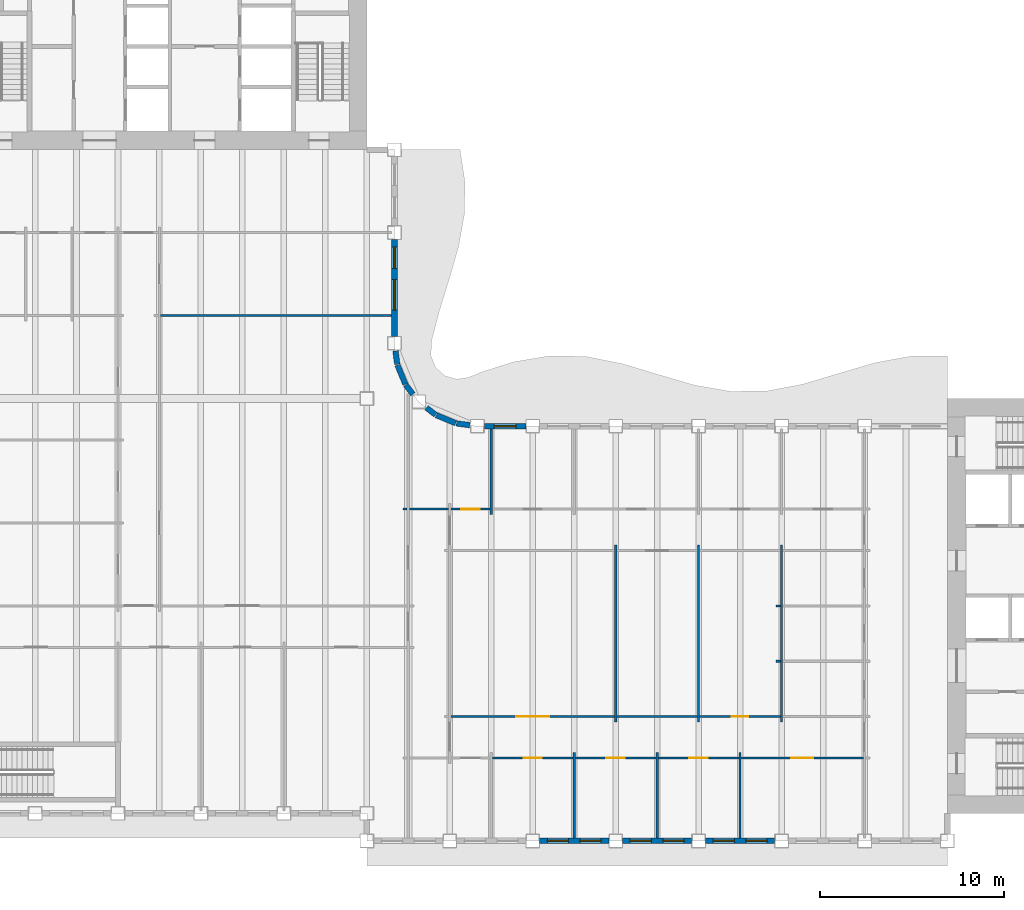
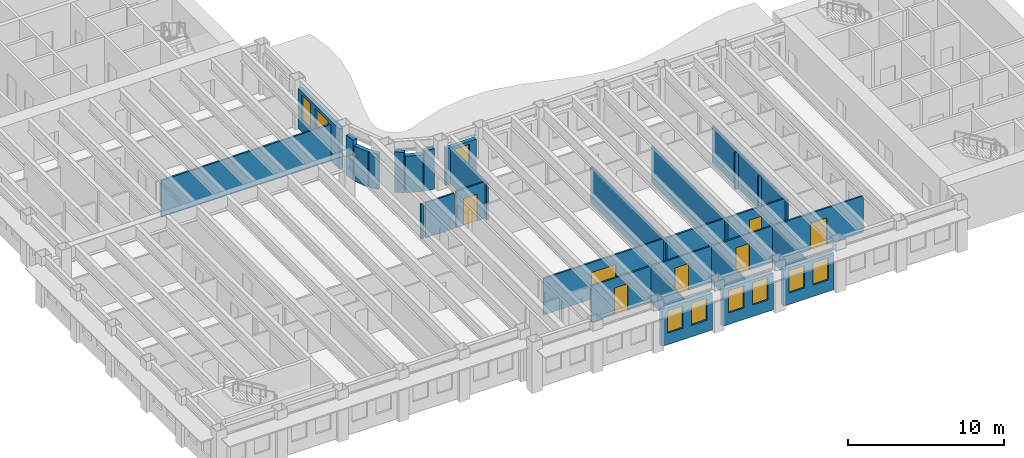
# One storey, part 5 of 17: 31 walls, 9 windows, 7 doors, 16 openings.
"""IFC4 building model written with IfcOpenShell, lengths in metres."""

from ifc_helpers import new_model, si_unit, direction, frame, frame_2d, origin, place, context, subcontext, project, spatial, rectangle, extrude, material, layer, layer_set, type_object, element, fill, save


model = new_model("IFC4")

# Units and contexts
model_context = context("Model", 3, precision=1e-05, world=origin(), true_north=direction((0.0, 1.0)))
body_context = subcontext(model_context, "Body", "Model", "MODEL_VIEW")
ifc_project = project(units=[si_unit("LENGTHUNIT", "METRE"), si_unit("AREAUNIT", "SQUARE_METRE"), si_unit("VOLUMEUNIT", "CUBIC_METRE"), si_unit("PLANEANGLEUNIT", "RADIAN"), si_unit("MASSUNIT", "GRAM", prefix="KILO")], contexts=[model_context])

# Site, building, storey
site_placement = place(None, origin())
site = spatial("IfcSite", under=ifc_project, at=site_placement, CompositionType="ELEMENT")
building_placement = place(site_placement, origin())
building = spatial("IfcBuilding", under=site, at=building_placement, Name="Sennacour Bend Tower", CompositionType="ELEMENT")
storey_placement = place(building_placement, frame((0.0, 0.0, 203.0)))
storey = spatial("IfcBuildingStorey", under=building, at=storey_placement, Name="L46", CompositionType="ELEMENT", Elevation=203.0)

# Walls
ifc_material_1 = material(Name="Plasterboard partition on steel studs", Category="steel")
ifc_layer_1 = layer(ifc_material_1, 0.1201171875, Name="Plasterboard partition on steel studs", Category="steel")
ifc_layer_set_1 = layer_set([ifc_layer_1], Name="Plasterboard partition on steel studs")
wall_type_1 = type_object("IfcWallType", Name="Partition 120", PredefinedType="PARTITIONING", material=ifc_layer_set_1)
for number, where, z_axis, x_axis, name in (
    (1, (29.25, 16.199951171875, 0.0), (0.0, 0.0, 1.0), (0.0, 1.0, 0.0), "P-L46-W030a"),
    (2, (33.75, -1.35009765625, 0.0), (0.0, 0.0, 1.0), (0.0, 1.0, 0.0), "P-L46-W031a"),
):
    element("IfcWall", number, at=place(storey_placement, frame(where, z_axis=z_axis, x_axis=x_axis)), inside=storey, type_object=wall_type_1, Name=name, PredefinedType="PARTITIONING", context=body_context, shape_type="SweptSolid", body=[
        extrude(rectangle(XDim=4.650146484375, YDim=0.1201171875, at=frame_2d((2.3251953125, 0.0))), origin(), (0.0, 0.0, 1.0), 2.8701171875),
    ])
wall_1_placement = place(storey_placement, frame((36.0, 4.949951171875, 0.0), z_axis=(0.0, 0.0, 1.0), x_axis=(0.0, 1.0, 0.0)))
element("IfcWall", 3, at=wall_1_placement, inside=storey, type_object=wall_type_1, Name="P-L46-W033a", PredefinedType="PARTITIONING", context=body_context, shape_type="SweptSolid", body=[
    extrude(rectangle(XDim=9.60009765625, YDim=0.1201171875, at=frame_2d((4.800048828125, 0.0))), origin(), (0.0, 0.0, 1.0), 2.8701171875),
])
wall_2_placement = place(storey_placement, frame((38.25, -1.35009765625, 0.0), z_axis=(0.0, 0.0, 1.0), x_axis=(0.0, 1.0, 0.0)))
element("IfcWall", 4, at=wall_2_placement, inside=storey, type_object=wall_type_1, Name="P-L46-W034a", PredefinedType="PARTITIONING", context=body_context, shape_type="SweptSolid", body=[
    extrude(rectangle(XDim=4.650146484375, YDim=0.1201171875, at=frame_2d((2.3251953125, 0.0))), origin(), (0.0, 0.0, 1.0), 2.8701171875),
])
wall_3_placement = place(storey_placement, frame((40.5, 4.949951171875, 0.0), z_axis=(0.0, 0.0, 1.0), x_axis=(0.0, 1.0, 0.0)))
element("IfcWall", 5, at=wall_3_placement, inside=storey, type_object=wall_type_1, Name="P-L46-W035a", PredefinedType="PARTITIONING", context=body_context, shape_type="SweptSolid", body=[
    extrude(rectangle(XDim=9.60009765625, YDim=0.1201171875, at=frame_2d((4.800048828125, 0.0))), origin(), (0.0, 0.0, 1.0), 2.8701171875),
])
wall_4_placement = place(storey_placement, frame((42.75, -1.35009765625, 0.0), z_axis=(0.0, 0.0, 1.0), x_axis=(0.0, 1.0, 0.0)))
element("IfcWall", 6, at=wall_4_placement, inside=storey, type_object=wall_type_1, Name="P-L46-W037a", PredefinedType="PARTITIONING", context=body_context, shape_type="SweptSolid", body=[
    extrude(rectangle(XDim=4.650146484375, YDim=0.1201171875, at=frame_2d((2.3251953125, 0.0))), origin(), (0.0, 0.0, 1.0), 2.8701171875),
])
wall_5_placement = place(storey_placement, frame((45.0, 4.949951171875, 0.0), z_axis=(0.0, 0.0, 1.0), x_axis=(0.0, 1.0, 0.0)))
element("IfcWall", 7, at=wall_5_placement, inside=storey, type_object=wall_type_1, Name="P-L46-W038a", PredefinedType="PARTITIONING", context=body_context, shape_type="SweptSolid", body=[
    extrude(rectangle(XDim=9.60009765625, YDim=0.1201171875, at=frame_2d((4.800048828125, 0.0))), origin(), (0.0, 0.0, 1.0), 2.8701171875),
])

# Wall, opening, door
wall_6_placement = place(storey_placement, frame((29.31005859375, 3.0, 0.0), z_axis=(0.0, 0.0, 1.0), x_axis=(1.0, 0.0, 0.0)))
wall_6 = element("IfcWall", 8, at=wall_6_placement, inside=storey, type_object=wall_type_1, Name="P-L46-W058ad", PredefinedType="PARTITIONING", context=body_context, shape_type="SweptSolid", body=[
    extrude(rectangle(XDim=4.3798828125, YDim=0.1201171875, at=frame_2d((2.18994140625, 0.0))), origin(), (0.0, 0.0, 1.0), 2.8701171875),
])
opening_1_placement = place(wall_6_placement, frame((1.68994140625, 0.0, 0.0)))
opening_1 = element("IfcOpeningElement", 9, at=opening_1_placement, cuts=wall_6, Name="Opening OD2", PredefinedType="OPENING", context=body_context, shape_type="SweptSolid", body=[
    extrude(rectangle(XDim=1.0, YDim=2.10009765625, at=frame_2d((0.5, 1.050048828125))), frame((0.0, 0.070068359375, 0.0), z_axis=(0.0, -1.0, 0.0), x_axis=(1.0, 0.0, 0.0)), (0.0, 0.0, 1.0), 0.14013671875),
])
ifc_material_2 = material(Name="Timber", Category="wood")
door_type_1 = type_object("IfcDoorType", Name="DR-OFFICE-1000", OperationType="NOTDEFINED", PredefinedType="DOOR", material=ifc_material_2)
door_1_placement = place(opening_1_placement, origin())
door_1 = element("IfcDoor", 10, at=door_1_placement, inside=storey, type_object=door_type_1, Name="Door", OperationType="SINGLE_SWING_LEFT", OverallHeight=2.10009765625, OverallWidth=1.0, PredefinedType="DOOR", context=body_context, shape_type="SweptSolid", body=[
    extrude(rectangle(XDim=1.0, YDim=2.10009765625, at=frame_2d((0.5, 1.050048828125))), frame((0.0, 0.02490234375, 0.0), z_axis=(0.0, -1.0, 0.0), x_axis=(1.0, 0.0, 0.0)), (0.0, 0.0, 1.0), 0.050048828125),
])
fill(opening_1, door_1)

wall_7_placement = place(storey_placement, frame((33.81005859375, 3.0, 0.0), z_axis=(0.0, 0.0, 1.0), x_axis=(1.0, 0.0, 0.0)))
wall_7 = element("IfcWall", 11, at=wall_7_placement, inside=storey, type_object=wall_type_1, Name="P-L46-W058ae", PredefinedType="PARTITIONING", context=body_context, shape_type="SweptSolid", body=[
    extrude(rectangle(XDim=4.3798828125, YDim=0.1201171875, at=frame_2d((2.18994140625, 0.0))), origin(), (0.0, 0.0, 1.0), 2.8701171875),
])
opening_2_placement = place(wall_7_placement, frame((1.68994140625, 0.0, 0.0)))
opening_2 = element("IfcOpeningElement", 12, at=opening_2_placement, cuts=wall_7, Name="Opening OD2", PredefinedType="OPENING", context=body_context, shape_type="SweptSolid", body=[
    extrude(rectangle(XDim=1.0, YDim=2.10009765625, at=frame_2d((0.5, 1.050048828125))), frame((0.0, 0.070068359375, 0.0), z_axis=(0.0, -1.0, 0.0), x_axis=(1.0, 0.0, 0.0)), (0.0, 0.0, 1.0), 0.14013671875),
])
door_2_placement = place(opening_2_placement, origin())
door_2 = element("IfcDoor", 13, at=door_2_placement, inside=storey, type_object=door_type_1, Name="Door", OperationType="SINGLE_SWING_LEFT", OverallHeight=2.10009765625, OverallWidth=1.0, PredefinedType="DOOR", context=body_context, shape_type="SweptSolid", body=[
    extrude(rectangle(XDim=1.0, YDim=2.10009765625, at=frame_2d((0.5, 1.050048828125))), frame((0.0, 0.02490234375, 0.0), z_axis=(0.0, -1.0, 0.0), x_axis=(1.0, 0.0, 0.0)), (0.0, 0.0, 1.0), 0.050048828125),
])
fill(opening_2, door_2)

wall_8_placement = place(storey_placement, frame((38.31005859375, 3.0, 0.0), z_axis=(0.0, 0.0, 1.0), x_axis=(1.0, 0.0, 0.0)))
wall_8 = element("IfcWall", 14, at=wall_8_placement, inside=storey, type_object=wall_type_1, Name="P-L46-W058af", PredefinedType="PARTITIONING", context=body_context, shape_type="SweptSolid", body=[
    extrude(rectangle(XDim=4.3798828125, YDim=0.1201171875, at=frame_2d((2.18994140625, 0.0))), origin(), (0.0, 0.0, 1.0), 2.8701171875),
])
opening_3_placement = place(wall_8_placement, frame((1.68994140625, 0.0, 0.0)))
opening_3 = element("IfcOpeningElement", 15, at=opening_3_placement, cuts=wall_8, Name="Opening OD2", PredefinedType="OPENING", context=body_context, shape_type="SweptSolid", body=[
    extrude(rectangle(XDim=1.0, YDim=2.10009765625, at=frame_2d((0.5, 1.050048828125))), frame((0.0, 0.070068359375, 0.0), z_axis=(0.0, -1.0, 0.0), x_axis=(1.0, 0.0, 0.0)), (0.0, 0.0, 1.0), 0.14013671875),
])
door_3_placement = place(opening_3_placement, origin())
door_3 = element("IfcDoor", 16, at=door_3_placement, inside=storey, type_object=door_type_1, Name="Door", OperationType="SINGLE_SWING_LEFT", OverallHeight=2.10009765625, OverallWidth=1.0, PredefinedType="DOOR", context=body_context, shape_type="SweptSolid", body=[
    extrude(rectangle(XDim=1.0, YDim=2.10009765625, at=frame_2d((0.5, 1.050048828125))), frame((0.0, 0.02490234375, 0.0), z_axis=(0.0, -1.0, 0.0), x_axis=(1.0, 0.0, 0.0)), (0.0, 0.0, 1.0), 0.050048828125),
])
fill(opening_3, door_3)

wall_9_placement = place(storey_placement, frame((42.81005859375, 3.0, 0.0), z_axis=(0.0, 0.0, 1.0), x_axis=(1.0, 0.0, 0.0)))
wall_9 = element("IfcWall", 17, at=wall_9_placement, inside=storey, type_object=wall_type_1, Name="P-L46-W058ag", PredefinedType="PARTITIONING", context=body_context, shape_type="SweptSolid", body=[
    extrude(rectangle(XDim=6.6298828125, YDim=0.1201171875, at=frame_2d((3.31494140625, 0.0))), origin(), (0.0, 0.0, 1.0), 2.8701171875),
])
opening_4_placement = place(wall_9_placement, frame((2.71484375, 0.0, 0.0)))
opening_4 = element("IfcOpeningElement", 18, at=opening_4_placement, cuts=wall_9, Name="Opening OD", PredefinedType="OPENING", context=body_context, shape_type="SweptSolid", body=[
    extrude(rectangle(XDim=1.199951171875, YDim=2.10009765625, at=frame_2d((0.60009765625, 1.050048828125))), frame((0.0, 0.070068359375, 0.0), z_axis=(0.0, -1.0, 0.0), x_axis=(1.0, 0.0, 0.0)), (0.0, 0.0, 1.0), 0.14013671875),
])
door_type_2 = type_object("IfcDoorType", Name="DR-OFFICE-1200", OperationType="NOTDEFINED", PredefinedType="DOOR", material=ifc_material_2)
door_4_placement = place(opening_4_placement, origin())
door_4 = element("IfcDoor", 19, at=door_4_placement, inside=storey, type_object=door_type_2, Name="Door", OperationType="SINGLE_SWING_LEFT", OverallHeight=2.10009765625, OverallWidth=1.199951171875, PredefinedType="DOOR", context=body_context, shape_type="SweptSolid", body=[
    extrude(rectangle(XDim=1.199951171875, YDim=2.10009765625, at=frame_2d((0.60009765625, 1.050048828125))), frame((0.0, 0.02490234375, 0.0), z_axis=(0.0, -1.0, 0.0), x_axis=(1.0, 0.0, 0.0)), (0.0, 0.0, 1.0), 0.050048828125),
])
fill(opening_4, door_4)

wall_10_placement = place(storey_placement, frame((27.06005859375, 5.25, 0.0), z_axis=(0.0, 0.0, 1.0), x_axis=(1.0, 0.0, 0.0)))
wall_10 = element("IfcWall", 20, at=wall_10_placement, inside=storey, type_object=wall_type_1, Name="P-L46-W063ab", PredefinedType="PARTITIONING", context=body_context, shape_type="SweptSolid", body=[
    extrude(rectangle(XDim=8.8798828125, YDim=0.1201171875, at=frame_2d((4.43994140625, 0.0))), origin(), (0.0, 0.0, 1.0), 2.8701171875),
])
opening_5_placement = place(wall_10_placement, frame((3.539794921875, 0.0, 0.0)))
opening_5 = element("IfcOpeningElement", 21, at=opening_5_placement, cuts=wall_10, Name="Opening OD3", PredefinedType="OPENING", context=body_context, shape_type="SweptSolid", body=[
    extrude(rectangle(XDim=1.800048828125, YDim=2.10009765625, at=frame_2d((0.89990234375, 1.050048828125))), frame((0.0, 0.070068359375, 0.0), z_axis=(0.0, -1.0, 0.0), x_axis=(1.0, 0.0, 0.0)), (0.0, 0.0, 1.0), 0.14013671875),
])
door_type_3 = type_object("IfcDoorType", Name="DR-OFFICE-1800", OperationType="NOTDEFINED", PredefinedType="DOOR", material=ifc_material_2)
door_5_placement = place(opening_5_placement, origin())
door_5 = element("IfcDoor", 22, at=door_5_placement, inside=storey, type_object=door_type_3, Name="Door", OperationType="DOUBLE_DOOR_SINGLE_SWING", OverallHeight=2.10009765625, OverallWidth=1.800048828125, PredefinedType="DOOR", context=body_context, shape_type="SweptSolid", body=[
    extrude(rectangle(XDim=1.800048828125, YDim=2.10009765625, at=frame_2d((0.89990234375, 1.050048828125))), frame((0.0, 0.02490234375, 0.0), z_axis=(0.0, -1.0, 0.0), x_axis=(1.0, 0.0, 0.0)), (0.0, 0.0, 1.0), 0.050048828125),
])
fill(opening_5, door_5)

# Walls
wall_11_placement = place(storey_placement, frame((36.06005859375, 5.25, 0.0), z_axis=(0.0, 0.0, 1.0), x_axis=(1.0, 0.0, 0.0)))
element("IfcWall", 23, at=wall_11_placement, inside=storey, type_object=wall_type_1, Name="P-L46-W063ac", PredefinedType="PARTITIONING", context=body_context, shape_type="SweptSolid", body=[
    extrude(rectangle(XDim=4.3798828125, YDim=0.1201171875, at=frame_2d((2.18994140625, 0.0))), origin(), (0.0, 0.0, 1.0), 2.8701171875),
])
for number, where, z_axis, x_axis, name in (
    (24, (44.699951171875, 8.25, 0.0), (0.0, 0.0, 1.0), (1.0, 0.0, 0.0), "P-L46-W065aa"),
    (25, (44.699951171875, 11.25, 0.0), (0.0, 0.0, 1.0), (1.0, 0.0, 0.0), "P-L46-W070aa"),
):
    element("IfcWall", number, at=place(storey_placement, frame(where, z_axis=z_axis, x_axis=x_axis)), inside=storey, type_object=wall_type_1, Name=name, PredefinedType="PARTITIONING", context=body_context, shape_type="SweptSolid", body=[
        extrude(rectangle(XDim=0.239990234375, YDim=0.1201171875, at=frame_2d((0.1201171875, 0.0))), origin(), (0.0, 0.0, 1.0), 2.8701171875),
    ])
wall_12_placement = place(storey_placement, frame((24.449951171875, 16.5, 0.0), z_axis=(0.0, 0.0, 1.0), x_axis=(1.0, 0.0, 0.0)))
element("IfcWall", 26, at=wall_12_placement, inside=storey, type_object=wall_type_1, Name="P-L46-W077aa", PredefinedType="PARTITIONING", context=body_context, shape_type="SweptSolid", body=[
    extrude(rectangle(XDim=0.239990234375, YDim=0.1201171875, at=frame_2d((0.1201171875, 0.0))), origin(), (0.0, 0.0, 1.0), 2.760009765625),
])
wall_13_placement = place(storey_placement, frame((24.81005859375, 16.5, 0.0), z_axis=(0.0, 0.0, 1.0), x_axis=(1.0, 0.0, 0.0)))
element("IfcWall", 27, at=wall_13_placement, inside=storey, type_object=wall_type_1, Name="P-L46-W077ab", PredefinedType="PARTITIONING", context=body_context, shape_type="SweptSolid", body=[
    extrude(rectangle(XDim=2.1298828125, YDim=0.1201171875, at=frame_2d((1.06494140625, 0.0))), origin(), (0.0, 0.0, 1.0), 2.760009765625),
])

# Wall, opening, door
wall_14_placement = place(storey_placement, frame((27.06005859375, 16.5, 0.0), z_axis=(0.0, 0.0, 1.0), x_axis=(1.0, 0.0, 0.0)))
wall_14 = element("IfcWall", 28, at=wall_14_placement, inside=storey, type_object=wall_type_1, Name="P-L46-W077ac", PredefinedType="PARTITIONING", context=body_context, shape_type="SweptSolid", body=[
    extrude(rectangle(XDim=2.1298828125, YDim=0.1201171875, at=frame_2d((1.06494140625, 0.0))), origin(), (0.0, 0.0, 1.0), 2.8701171875),
])
opening_6_placement = place(wall_14_placement, frame((0.56494140625, 0.0, 0.0)))
opening_6 = element("IfcOpeningElement", 29, at=opening_6_placement, cuts=wall_14, Name="Opening OD2", PredefinedType="OPENING", context=body_context, shape_type="SweptSolid", body=[
    extrude(rectangle(XDim=1.0, YDim=2.10009765625, at=frame_2d((0.5, 1.050048828125))), frame((0.0, 0.070068359375, 0.0), z_axis=(0.0, -1.0, 0.0), x_axis=(1.0, 0.0, 0.0)), (0.0, 0.0, 1.0), 0.14013671875),
])
door_6_placement = place(opening_6_placement, origin())
door_6 = element("IfcDoor", 30, at=door_6_placement, inside=storey, type_object=door_type_1, Name="Door", OperationType="SINGLE_SWING_LEFT", OverallHeight=2.10009765625, OverallWidth=1.0, PredefinedType="DOOR", context=body_context, shape_type="SweptSolid", body=[
    extrude(rectangle(XDim=1.0, YDim=2.10009765625, at=frame_2d((0.5, 1.050048828125))), frame((0.0, 0.02490234375, 0.0), z_axis=(0.0, -1.0, 0.0), x_axis=(1.0, 0.0, 0.0)), (0.0, 0.0, 1.0), 0.050048828125),
])
fill(opening_6, door_6)

# Wall
wall_15_placement = place(storey_placement, frame((11.31005859375, 27.0, 0.0), z_axis=(0.0, 0.0, 1.0), x_axis=(1.0, 0.0, 0.0)))
element("IfcWall", 31, at=wall_15_placement, inside=storey, type_object=wall_type_1, Name="P-L46-W085ab", PredefinedType="PARTITIONING", context=body_context, shape_type="SweptSolid", body=[
    extrude(rectangle(XDim=12.5400390625, YDim=0.1201171875, at=frame_2d((6.27001953125, 0.0))), origin(), (0.0, 0.0, 1.0), 2.8701171875),
])

# Wall, opening, door
ifc_layer_2 = layer(ifc_material_1, 0.1201171875, Name="Plasterboard partition on steel studs", Category="steel")
ifc_layer_set_2 = layer_set([ifc_layer_2], Name="Plasterboard partition on steel studs")
wall_type_2 = type_object("IfcWallType", Name="Partition 120 EI 60", PredefinedType="PARTITIONING", material=ifc_layer_set_2)
wall_16_placement = place(storey_placement, frame((40.56005859375, 5.25, 0.0), z_axis=(0.0, 0.0, 1.0), x_axis=(1.0, 0.0, 0.0)))
wall_16 = element("IfcWall", 32, at=wall_16_placement, inside=storey, type_object=wall_type_2, Name="P-L46-W063ad", PredefinedType="PARTITIONING", context=body_context, shape_type="SweptSolid", body=[
    extrude(rectangle(XDim=4.3798828125, YDim=0.1201171875, at=frame_2d((2.18994140625, 0.0))), origin(), (0.0, 0.0, 1.0), 2.8701171875),
])
opening_7_placement = place(wall_16_placement, frame((1.739990234375, 0.0, 0.0)))
opening_7 = element("IfcOpeningElement", 33, at=opening_7_placement, cuts=wall_16, Name="Opening SV", PredefinedType="OPENING", context=body_context, shape_type="SweptSolid", body=[
    extrude(rectangle(XDim=0.89990234375, YDim=2.10009765625, at=frame_2d((0.449951171875, 1.050048828125))), frame((0.0, 0.070068359375, 0.0), z_axis=(0.0, -1.0, 0.0), x_axis=(1.0, 0.0, 0.0)), (0.0, 0.0, 1.0), 0.14013671875),
])
ifc_material_3 = material(Name="Painted steel", Category="steel")
door_type_4 = type_object("IfcDoorType", Name="DR-SERVICE-900", OperationType="NOTDEFINED", PredefinedType="DOOR", material=ifc_material_3)
door_7_placement = place(opening_7_placement, origin())
door_7 = element("IfcDoor", 34, at=door_7_placement, inside=storey, type_object=door_type_4, Name="Door", OperationType="SINGLE_SWING_LEFT", OverallHeight=2.10009765625, OverallWidth=0.89990234375, PredefinedType="DOOR", context=body_context, shape_type="SweptSolid", body=[
    extrude(rectangle(XDim=0.89990234375, YDim=2.10009765625, at=frame_2d((0.449951171875, 1.050048828125))), frame((0.0, 0.02490234375, 0.0), z_axis=(0.0, -1.0, 0.0), x_axis=(1.0, 0.0, 0.0)), (0.0, 0.0, 1.0), 0.050048828125),
])
fill(opening_7, door_7)

# Wall, openings, windows
ifc_material_4 = material(Name="Warm limestone cladding", Category="masonry")
ifc_layer_3 = layer(ifc_material_4, 0.050048828125, Name="Warm limestone cladding", Category="masonry")
ifc_material_5 = material(Name="Precast concrete C40/50", Category="concrete")
ifc_layer_4 = layer(ifc_material_5, 0.25, Name="Precast concrete C40/50", Category="concrete")
ifc_layer_set_3 = layer_set([ifc_layer_3, ifc_layer_4], Name="Precast concrete C40/50 with limestone cladding")
wall_type_3 = type_object("IfcWallType", Name="STONE-CLAD PRECAST SPANDREL 300", PredefinedType="STANDARD", material=ifc_layer_set_3)
wall_17_placement = place(storey_placement, frame((31.875, -1.5, 0.0), z_axis=(0.0, 0.0, 1.0), x_axis=(1.0, 0.0, 0.0)))
wall_17 = element("IfcWall", 35, at=wall_17_placement, inside=storey, type_object=wall_type_3, Name="Stone spandrel and pier wall L46 00.02", PredefinedType="STANDARD", context=body_context, shape_type="SweptSolid", body=[
    extrude(rectangle(XDim=3.75, YDim=0.300048828125, at=frame_2d((1.875, 0.0))), origin(), (0.0, 0.0, 1.0), 2.8701171875),
])
opening_8_placement = place(wall_17_placement, frame((0.41259765625, 0.0, 0.89990234375)))
opening_8 = element("IfcOpeningElement", 36, at=opening_8_placement, cuts=wall_17, Name="Opening W23", PredefinedType="OPENING", context=body_context, shape_type="SweptSolid", body=[
    extrude(rectangle(XDim=1.14990234375, YDim=1.75, at=frame_2d((0.574951171875, 0.875))), frame((0.0, 0.16015625, 0.0), z_axis=(0.0, -1.0, 0.0), x_axis=(1.0, 0.0, 0.0)), (0.0, 0.0, 1.0), 0.320068359375),
])
opening_9_placement = place(wall_17_placement, frame((2.1875, 0.0, 0.89990234375)))
opening_9 = element("IfcOpeningElement", 37, at=opening_9_placement, cuts=wall_17, Name="Opening W23", PredefinedType="OPENING", context=body_context, shape_type="SweptSolid", body=[
    extrude(rectangle(XDim=1.14990234375, YDim=1.75, at=frame_2d((0.574951171875, 0.875))), frame((0.0, 0.16015625, 0.0), z_axis=(0.0, -1.0, 0.0), x_axis=(1.0, 0.0, 0.0)), (0.0, 0.0, 1.0), 0.320068359375),
])
ifc_material_6 = material(Name="Clear low-emissivity glass", Category="glass")
window_type_1 = type_object("IfcWindowType", Name="WIN-RIBBON-1150x1750", PartitioningType="SINGLE_PANEL", PredefinedType="WINDOW", material=ifc_material_6)
window_1_placement = place(opening_8_placement, origin())
window_1 = element("IfcWindow", 38, at=window_1_placement, inside=storey, type_object=window_type_1, Name="Ribbon window L46 00.02.0", OverallHeight=1.75, OverallWidth=1.14990234375, PartitioningType="SINGLE_PANEL", PredefinedType="WINDOW", context=body_context, shape_type="SweptSolid", body=[
    extrude(rectangle(XDim=1.14990234375, YDim=1.75, at=frame_2d((0.574951171875, 0.875))), frame((0.0, 0.030029296875, 0.0), z_axis=(0.0, -1.0, 0.0), x_axis=(1.0, 0.0, 0.0)), (0.0, 0.0, 1.0), 0.06005859375),
])
fill(opening_8, window_1)
window_2_placement = place(opening_9_placement, origin())
window_2 = element("IfcWindow", 39, at=window_2_placement, inside=storey, type_object=window_type_1, Name="Ribbon window L46 00.02.1", OverallHeight=1.75, OverallWidth=1.14990234375, PartitioningType="SINGLE_PANEL", PredefinedType="WINDOW", context=body_context, shape_type="SweptSolid", body=[
    extrude(rectangle(XDim=1.14990234375, YDim=1.75, at=frame_2d((0.574951171875, 0.875))), frame((0.0, 0.030029296875, 0.0), z_axis=(0.0, -1.0, 0.0), x_axis=(1.0, 0.0, 0.0)), (0.0, 0.0, 1.0), 0.06005859375),
])
fill(opening_9, window_2)

wall_18_placement = place(storey_placement, frame((36.375, -1.5, 0.0), z_axis=(0.0, 0.0, 1.0), x_axis=(1.0, 0.0, 0.0)))
wall_18 = element("IfcWall", 40, at=wall_18_placement, inside=storey, type_object=wall_type_3, Name="Stone spandrel and pier wall L46 00.03", PredefinedType="STANDARD", context=body_context, shape_type="SweptSolid", body=[
    extrude(rectangle(XDim=3.75, YDim=0.300048828125, at=frame_2d((1.875, 0.0))), origin(), (0.0, 0.0, 1.0), 2.8701171875),
])
opening_10_placement = place(wall_18_placement, frame((0.41259765625, 0.0, 0.89990234375)))
opening_10 = element("IfcOpeningElement", 41, at=opening_10_placement, cuts=wall_18, Name="Opening W23", PredefinedType="OPENING", context=body_context, shape_type="SweptSolid", body=[
    extrude(rectangle(XDim=1.14990234375, YDim=1.75, at=frame_2d((0.574951171875, 0.875))), frame((0.0, 0.16015625, 0.0), z_axis=(0.0, -1.0, 0.0), x_axis=(1.0, 0.0, 0.0)), (0.0, 0.0, 1.0), 0.320068359375),
])
opening_11_placement = place(wall_18_placement, frame((2.1875, 0.0, 0.89990234375)))
opening_11 = element("IfcOpeningElement", 42, at=opening_11_placement, cuts=wall_18, Name="Opening W23", PredefinedType="OPENING", context=body_context, shape_type="SweptSolid", body=[
    extrude(rectangle(XDim=1.14990234375, YDim=1.75, at=frame_2d((0.574951171875, 0.875))), frame((0.0, 0.16015625, 0.0), z_axis=(0.0, -1.0, 0.0), x_axis=(1.0, 0.0, 0.0)), (0.0, 0.0, 1.0), 0.320068359375),
])
window_3_placement = place(opening_10_placement, origin())
window_3 = element("IfcWindow", 43, at=window_3_placement, inside=storey, type_object=window_type_1, Name="Ribbon window L46 00.03.0", OverallHeight=1.75, OverallWidth=1.14990234375, PartitioningType="SINGLE_PANEL", PredefinedType="WINDOW", context=body_context, shape_type="SweptSolid", body=[
    extrude(rectangle(XDim=1.14990234375, YDim=1.75, at=frame_2d((0.574951171875, 0.875))), frame((0.0, 0.030029296875, 0.0), z_axis=(0.0, -1.0, 0.0), x_axis=(1.0, 0.0, 0.0)), (0.0, 0.0, 1.0), 0.06005859375),
])
fill(opening_10, window_3)
window_4_placement = place(opening_11_placement, origin())
window_4 = element("IfcWindow", 44, at=window_4_placement, inside=storey, type_object=window_type_1, Name="Ribbon window L46 00.03.1", OverallHeight=1.75, OverallWidth=1.14990234375, PartitioningType="SINGLE_PANEL", PredefinedType="WINDOW", context=body_context, shape_type="SweptSolid", body=[
    extrude(rectangle(XDim=1.14990234375, YDim=1.75, at=frame_2d((0.574951171875, 0.875))), frame((0.0, 0.030029296875, 0.0), z_axis=(0.0, -1.0, 0.0), x_axis=(1.0, 0.0, 0.0)), (0.0, 0.0, 1.0), 0.06005859375),
])
fill(opening_11, window_4)

wall_19_placement = place(storey_placement, frame((40.875, -1.5, 0.0), z_axis=(0.0, 0.0, 1.0), x_axis=(1.0, 0.0, 0.0)))
wall_19 = element("IfcWall", 45, at=wall_19_placement, inside=storey, type_object=wall_type_3, Name="Stone spandrel and pier wall L46 00.04", PredefinedType="STANDARD", context=body_context, shape_type="SweptSolid", body=[
    extrude(rectangle(XDim=3.75, YDim=0.300048828125, at=frame_2d((1.875, 0.0))), origin(), (0.0, 0.0, 1.0), 2.8701171875),
])
opening_12_placement = place(wall_19_placement, frame((0.41259765625, 0.0, 0.89990234375)))
opening_12 = element("IfcOpeningElement", 46, at=opening_12_placement, cuts=wall_19, Name="Opening W23", PredefinedType="OPENING", context=body_context, shape_type="SweptSolid", body=[
    extrude(rectangle(XDim=1.14990234375, YDim=1.75, at=frame_2d((0.574951171875, 0.875))), frame((0.0, 0.16015625, 0.0), z_axis=(0.0, -1.0, 0.0), x_axis=(1.0, 0.0, 0.0)), (0.0, 0.0, 1.0), 0.320068359375),
])
opening_13_placement = place(wall_19_placement, frame((2.1875, 0.0, 0.89990234375)))
opening_13 = element("IfcOpeningElement", 47, at=opening_13_placement, cuts=wall_19, Name="Opening W23", PredefinedType="OPENING", context=body_context, shape_type="SweptSolid", body=[
    extrude(rectangle(XDim=1.14990234375, YDim=1.75, at=frame_2d((0.574951171875, 0.875))), frame((0.0, 0.16015625, 0.0), z_axis=(0.0, -1.0, 0.0), x_axis=(1.0, 0.0, 0.0)), (0.0, 0.0, 1.0), 0.320068359375),
])
window_5_placement = place(opening_12_placement, origin())
window_5 = element("IfcWindow", 48, at=window_5_placement, inside=storey, type_object=window_type_1, Name="Ribbon window L46 00.04.0", OverallHeight=1.75, OverallWidth=1.14990234375, PartitioningType="SINGLE_PANEL", PredefinedType="WINDOW", context=body_context, shape_type="SweptSolid", body=[
    extrude(rectangle(XDim=1.14990234375, YDim=1.75, at=frame_2d((0.574951171875, 0.875))), frame((0.0, 0.030029296875, 0.0), z_axis=(0.0, -1.0, 0.0), x_axis=(1.0, 0.0, 0.0)), (0.0, 0.0, 1.0), 0.06005859375),
])
fill(opening_12, window_5)
window_6_placement = place(opening_13_placement, origin())
window_6 = element("IfcWindow", 49, at=window_6_placement, inside=storey, type_object=window_type_1, Name="Ribbon window L46 00.04.1", OverallHeight=1.75, OverallWidth=1.14990234375, PartitioningType="SINGLE_PANEL", PredefinedType="WINDOW", context=body_context, shape_type="SweptSolid", body=[
    extrude(rectangle(XDim=1.14990234375, YDim=1.75, at=frame_2d((0.574951171875, 0.875))), frame((0.0, 0.030029296875, 0.0), z_axis=(0.0, -1.0, 0.0), x_axis=(1.0, 0.0, 0.0)), (0.0, 0.0, 1.0), 0.06005859375),
])
fill(opening_13, window_6)

# Wall, opening, window
wall_20_placement = place(storey_placement, frame((31.125, 21.0, 0.0), z_axis=(0.0, 0.0, 1.0), x_axis=(-1.0, 0.0, 0.0)))
wall_20 = element("IfcWall", 50, at=wall_20_placement, inside=storey, type_object=wall_type_3, Name="Stone spandrel and pier wall L46 06.05", PredefinedType="STANDARD", context=body_context, shape_type="SweptSolid", body=[
    extrude(rectangle(XDim=2.25, YDim=0.300048828125, at=frame_2d((1.125, 0.0))), origin(), (0.0, 0.0, 1.0), 2.8701171875),
])
opening_14_placement = place(wall_20_placement, frame((0.52490234375, 0.0, 0.89990234375)))
opening_14 = element("IfcOpeningElement", 51, at=opening_14_placement, cuts=wall_20, Name="Opening W16", PredefinedType="OPENING", context=body_context, shape_type="SweptSolid", body=[
    extrude(rectangle(XDim=1.199951171875, YDim=1.75, at=frame_2d((0.60009765625, 0.875))), frame((0.0, 0.16015625, 0.0), z_axis=(0.0, -1.0, 0.0), x_axis=(1.0, 0.0, 0.0)), (0.0, 0.0, 1.0), 0.320068359375),
])
window_type_2 = type_object("IfcWindowType", Name="WIN-RIBBON-1200x1750", PartitioningType="SINGLE_PANEL", PredefinedType="WINDOW", material=ifc_material_6)
window_7_placement = place(opening_14_placement, origin())
window_7 = element("IfcWindow", 52, at=window_7_placement, inside=storey, type_object=window_type_2, Name="Ribbon window L46 06.05", OverallHeight=1.75, OverallWidth=1.199951171875, PartitioningType="SINGLE_PANEL", PredefinedType="WINDOW", context=body_context, shape_type="SweptSolid", body=[
    extrude(rectangle(XDim=1.199951171875, YDim=1.75, at=frame_2d((0.60009765625, 0.875))), frame((0.0, 0.030029296875, 0.0), z_axis=(0.0, -1.0, 0.0), x_axis=(1.0, 0.0, 0.0)), (0.0, 0.0, 1.0), 0.06005859375),
])
fill(opening_14, window_7)

# Walls
wall_21_placement = place(storey_placement, frame((28.0830078125, 21.054931640625, 0.0), z_axis=(0.0, 0.0, 1.0), x_axis=(-0.99142711513, 0.130660917588, 0.0)))
element("IfcWall", 53, at=wall_21_placement, inside=storey, type_object=wall_type_3, Name="Stone spandrel and pier wall L46 07.00", PredefinedType="STANDARD", context=body_context, shape_type="SweptSolid", body=[
    extrude(rectangle(XDim=0.734375, YDim=0.300048828125, at=frame_2d((0.3671875, 0.0))), origin(), (0.0, 0.0, 1.0), 3.156982421875),
])
wall_22_placement = place(storey_placement, frame((27.317138671875, 21.160888671875, 0.0), z_axis=(0.0, 0.0, 1.0), x_axis=(-0.923914616768, 0.382598720491, 0.0)))
element("IfcWall", 54, at=wall_22_placement, inside=storey, type_object=wall_type_3, Name="Stone spandrel and pier wall L46 08.00", PredefinedType="STANDARD", context=body_context, shape_type="SweptSolid", body=[
    extrude(rectangle(XDim=1.13525390625, YDim=0.300048828125, at=frame_2d((0.567626953125, 0.0))), origin(), (0.0, 0.0, 1.0), 2.8701171875),
])
wall_23_placement = place(storey_placement, frame((26.234375, 21.614990234375, 0.0), z_axis=(0.0, 0.0, 1.0), x_axis=(-0.793575131083, 0.608472276547, 0.0)))
element("IfcWall", 55, at=wall_23_placement, inside=storey, type_object=wall_type_3, Name="Stone spandrel and pier wall L46 09.00", PredefinedType="STANDARD", context=body_context, shape_type="SweptSolid", body=[
    extrude(rectangle(XDim=0.629150390625, YDim=0.300048828125, at=frame_2d((0.314453125, 0.0))), origin(), (0.0, 0.0, 1.0), 3.156982421875),
])
wall_24_placement = place(storey_placement, frame((24.997802734375, 22.735107421875, 0.0), z_axis=(0.0, 0.0, 1.0), x_axis=(-0.608472276547, 0.793575131083, 0.0)))
element("IfcWall", 56, at=wall_24_placement, inside=storey, type_object=wall_type_3, Name="Stone spandrel and pier wall L46 10.00", PredefinedType="STANDARD", context=body_context, shape_type="SweptSolid", body=[
    extrude(rectangle(XDim=0.629150390625, YDim=0.300048828125, at=frame_2d((0.314453125, 0.0))), origin(), (0.0, 0.0, 1.0), 2.760009765625),
])
wall_25_placement = place(storey_placement, frame((24.59521484375, 23.268310546875, 0.0), z_axis=(0.0, 0.0, 1.0), x_axis=(-0.382598720491, 0.923914616768, 0.0)))
element("IfcWall", 57, at=wall_25_placement, inside=storey, type_object=wall_type_3, Name="Stone spandrel and pier wall L46 11.00", PredefinedType="STANDARD", context=body_context, shape_type="SweptSolid", body=[
    extrude(rectangle(XDim=1.13525390625, YDim=0.300048828125, at=frame_2d((0.567626953125, 0.0))), origin(), (0.0, 0.0, 1.0), 2.760009765625),
])
wall_26_placement = place(storey_placement, frame((24.15087890625, 24.35498046875, 0.0), z_axis=(0.0, 0.0, 1.0), x_axis=(-0.130660917588, 0.99142711513, 0.0)))
element("IfcWall", 58, at=wall_26_placement, inside=storey, type_object=wall_type_3, Name="Stone spandrel and pier wall L46 12.00", PredefinedType="STANDARD", context=body_context, shape_type="SweptSolid", body=[
    extrude(rectangle(XDim=0.734375, YDim=0.300048828125, at=frame_2d((0.3671875, 0.0))), origin(), (0.0, 0.0, 1.0), 3.156982421875),
])

# Wall, openings, windows
wall_27_placement = place(storey_placement, frame((24.0, 25.875, 0.0), z_axis=(0.0, 0.0, 1.0), x_axis=(0.0, 1.0, 0.0)))
wall_27 = element("IfcWall", 59, at=wall_27_placement, inside=storey, type_object=wall_type_3, Name="Stone spandrel and pier wall L46 13.00", PredefinedType="STANDARD", context=body_context, shape_type="SweptSolid", body=[
    extrude(rectangle(XDim=5.25, YDim=0.300048828125, at=frame_2d((2.625, 0.0))), origin(), (0.0, 0.0, 1.0), 3.156982421875),
])
opening_15_placement = place(wall_27_placement, frame((1.425048828125, 0.0, 0.89990234375)))
opening_15 = element("IfcOpeningElement", 60, at=opening_15_placement, cuts=wall_27, Name="Opening W10", PredefinedType="OPENING", context=body_context, shape_type="SweptSolid", body=[
    extrude(rectangle(XDim=1.64990234375, YDim=2.0, at=frame_2d((0.824951171875, 1.0))), frame((0.0, 0.16015625, 0.0), z_axis=(0.0, -1.0, 0.0), x_axis=(1.0, 0.0, 0.0)), (0.0, 0.0, 1.0), 0.320068359375),
])
opening_16_placement = place(wall_27_placement, frame((3.6875, 0.0, 0.89990234375)))
opening_16 = element("IfcOpeningElement", 61, at=opening_16_placement, cuts=wall_27, Name="Opening W24", PredefinedType="OPENING", context=body_context, shape_type="SweptSolid", body=[
    extrude(rectangle(XDim=1.14990234375, YDim=2.0, at=frame_2d((0.574951171875, 1.0))), frame((0.0, 0.16015625, 0.0), z_axis=(0.0, -1.0, 0.0), x_axis=(1.0, 0.0, 0.0)), (0.0, 0.0, 1.0), 0.320068359375),
])
window_type_3 = type_object("IfcWindowType", Name="WIN-RIBBON-1150x2000", PartitioningType="SINGLE_PANEL", PredefinedType="WINDOW", material=ifc_material_6)
window_8_placement = place(opening_16_placement, origin())
window_8 = element("IfcWindow", 62, at=window_8_placement, inside=storey, type_object=window_type_3, Name="Ribbon window L46 13.00.1", OverallHeight=2.0, OverallWidth=1.14990234375, PartitioningType="SINGLE_PANEL", PredefinedType="WINDOW", context=body_context, shape_type="SweptSolid", body=[
    extrude(rectangle(XDim=1.14990234375, YDim=2.0, at=frame_2d((0.574951171875, 1.0))), frame((0.0, 0.030029296875, 0.0), z_axis=(0.0, -1.0, 0.0), x_axis=(1.0, 0.0, 0.0)), (0.0, 0.0, 1.0), 0.06005859375),
])
fill(opening_16, window_8)
window_type_4 = type_object("IfcWindowType", Name="WIN-RIBBON-1650x2000", PartitioningType="SINGLE_PANEL", PredefinedType="WINDOW", material=ifc_material_6)
window_9_placement = place(opening_15_placement, origin())
window_9 = element("IfcWindow", 63, at=window_9_placement, inside=storey, type_object=window_type_4, Name="Ribbon window L46 13.00.0", OverallHeight=2.0, OverallWidth=1.64990234375, PartitioningType="SINGLE_PANEL", PredefinedType="WINDOW", context=body_context, shape_type="SweptSolid", body=[
    extrude(rectangle(XDim=1.64990234375, YDim=2.0, at=frame_2d((0.824951171875, 1.0))), frame((0.0, 0.030029296875, 0.0), z_axis=(0.0, -1.0, 0.0), x_axis=(1.0, 0.0, 0.0)), (0.0, 0.0, 1.0), 0.06005859375),
])
fill(opening_15, window_9)

save(model, "model.ifc")
